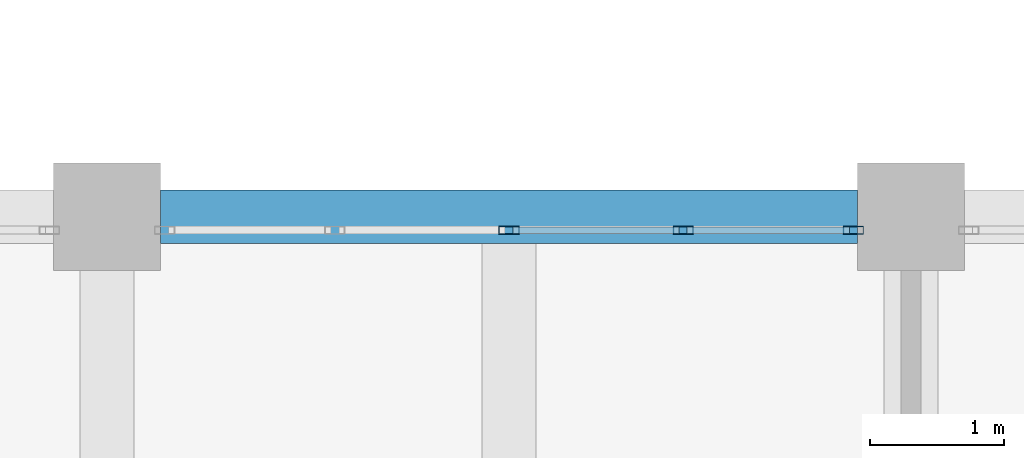
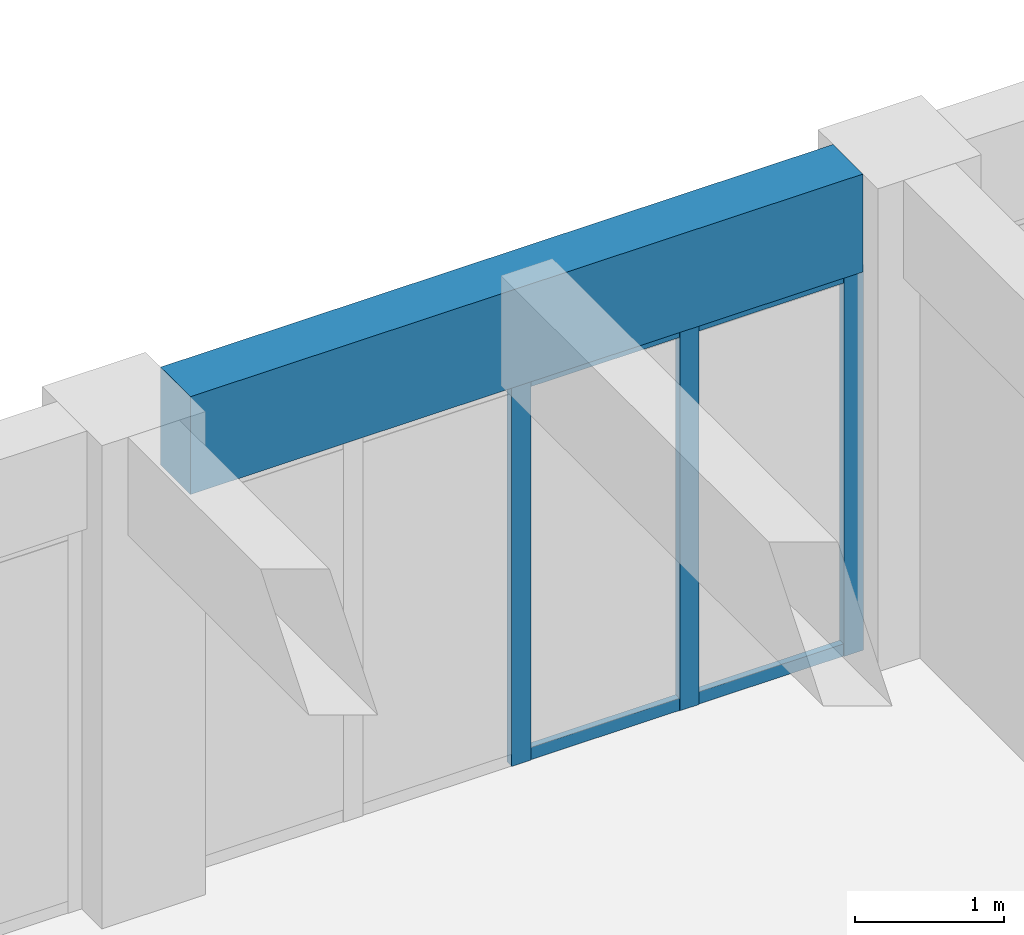
# One storey, part 15 of 92: 7 members, 1 beam, 1 element without a shape of its own.
"""IFC4 building model written with IfcOpenShell, lengths in metres."""

from ifc_helpers import new_model, si_unit, direction, frame, origin, origin_2d, place, context, subcontext, project, spatial, rectangle, hollow_rectangle, extrude, material, material_profile, profile_set, type_object, element, aggregate, save


model = new_model("IFC4")

# Units and contexts
model_context = context("Model", 3, precision=1e-05, world=origin(), true_north=direction((0.0, 1.0)))
body_context = subcontext(model_context, "Body", "Model", "MODEL_VIEW")
ifc_project = project(units=[si_unit("LENGTHUNIT", "METRE"), si_unit("AREAUNIT", "SQUARE_METRE"), si_unit("VOLUMEUNIT", "CUBIC_METRE"), si_unit("PLANEANGLEUNIT", "RADIAN"), si_unit("MASSUNIT", "GRAM", prefix="KILO")], contexts=[model_context])

# Site, building, storey
site_placement = place(None, origin())
site = spatial("IfcSite", under=ifc_project, at=site_placement, CompositionType="ELEMENT")
building_placement = place(site_placement, origin())
building = spatial("IfcBuilding", under=site, at=building_placement, Name="Laocheng Heights Fire and Rescue Headquarters", CompositionType="ELEMENT")
storey_placement = place(building_placement, frame((0.0, 0.0, 12.60009765625)))
storey = spatial("IfcBuildingStorey", under=building, at=storey_placement, Name="L03", CompositionType="ELEMENT", Elevation=12.60009765625)

# Curtain wall, members
ifc_material_1 = material(Name="Aluminium unitised curtain wall, low-e double glazing", Category="aluminium")
curtain_wall_type = type_object("IfcCurtainWallType", Name="CW 5200 x 3150 GALLERY UNIT", PredefinedType="NOTDEFINED", material=ifc_material_1)
curtain_wall_placement = place(storey_placement, origin())
curtain_wall = element("IfcCurtainWall", 1, at=curtain_wall_placement, inside=storey, type_object=curtain_wall_type, Name="Gallery north glazing L03", PredefinedType="NOTDEFINED")
ifc_material_2 = material(Name="Aluminium 6063-T5 extrusion", Category="aluminium")
ifc_material_profile_1 = material_profile(ifc_material_2, hollow_rectangle(XDim=0.06005859375, YDim=0.14990234375, WallThickness=0.0029296875, at=origin_2d()), Name="AL MULLION 150x60x3")
ifc_profile_set_1 = profile_set([ifc_material_profile_1], Name="Aluminium 6063-T5 extrusion")
member_type_1 = type_object("IfcMemberType", Name="AL CURTAIN WALL MULLION 150x60x3", PredefinedType="MULLION", material=ifc_profile_set_1)
member_1_placement = place(storey_placement, frame((45.0, 28.699951171875, 0.0), z_axis=(0.0, 0.0, 1.0), x_axis=(0.0, 1.0, 0.0)))
member_1 = element("IfcMember", 2, at=member_1_placement, type_object=member_type_1, Name="X6-E mullion 3", PredefinedType="MULLION", context=body_context, shape_type="SweptSolid", body=[
    extrude(hollow_rectangle(XDim=0.06005859375, YDim=0.14990234375, WallThickness=0.0029296875, at=origin_2d()), origin(), (0.0, 0.0, 1.0), 3.14990234375),
])
member_2_placement = place(storey_placement, frame((46.300048828125, 28.699951171875, 0.0), z_axis=(0.0, 0.0, 1.0), x_axis=(0.0, 1.0, 0.0)))
member_2 = element("IfcMember", 3, at=member_2_placement, type_object=member_type_1, Name="X6-E mullion 4", PredefinedType="MULLION", context=body_context, shape_type="SweptSolid", body=[
    extrude(hollow_rectangle(XDim=0.06005859375, YDim=0.14990234375, WallThickness=0.0029296875, at=origin_2d()), origin(), (0.0, 0.0, 1.0), 3.14990234375),
])
member_3_placement = place(storey_placement, frame((47.570068359375, 28.699951171875, 0.0), z_axis=(0.0, 0.0, 1.0), x_axis=(0.0, 1.0, 0.0)))
member_3 = element("IfcMember", 4, at=member_3_placement, type_object=member_type_1, Name="X6-E mullion 5", PredefinedType="MULLION", context=body_context, shape_type="SweptSolid", body=[
    extrude(hollow_rectangle(XDim=0.06005859375, YDim=0.14990234375, WallThickness=0.0029296875, at=origin_2d()), origin(), (0.0, 0.0, 1.0), 3.14990234375),
])
ifc_material_3 = material(Name="Aluminium 6063-T5 extrusion", Category="aluminium")
ifc_material_profile_2 = material_profile(ifc_material_3, hollow_rectangle(XDim=0.050048828125, YDim=0.10009765625, WallThickness=0.0029296875, at=origin_2d()), Name="AL TRANSOM 100x50x3")
ifc_profile_set_2 = profile_set([ifc_material_profile_2], Name="Aluminium 6063-T5 extrusion")
member_type_2 = type_object("IfcMemberType", Name="AL CURTAIN WALL TRANSOM 100x50x3", PredefinedType="USERDEFINED", material=ifc_profile_set_2)
member_4_placement = place(storey_placement, frame((45.030029296875, 28.699951171875, 0.0498046875), z_axis=(1.0, 0.0, 0.0), x_axis=(0.0, 1.0, 0.0)))
member_4 = element("IfcMember", 5, at=member_4_placement, type_object=member_type_2, Name="X6-E transom 3.1", ObjectType="TRANSOM", PredefinedType="USERDEFINED", context=body_context, shape_type="SweptSolid", body=[
    extrude(hollow_rectangle(XDim=0.050048828125, YDim=0.10009765625, WallThickness=0.0029296875, at=origin_2d()), origin(), (0.0, 0.0, 1.0), 1.239990234375),
])
member_5_placement = place(storey_placement, frame((45.030029296875, 28.699951171875, 3.099853515625), z_axis=(1.0, 0.0, 0.0), x_axis=(0.0, 1.0, 0.0)))
member_5 = element("IfcMember", 6, at=member_5_placement, type_object=member_type_2, Name="X6-E transom 3.2", ObjectType="TRANSOM", PredefinedType="USERDEFINED", context=body_context, shape_type="SweptSolid", body=[
    extrude(hollow_rectangle(XDim=0.050048828125, YDim=0.10009765625, WallThickness=0.0029296875, at=origin_2d()), origin(), (0.0, 0.0, 1.0), 1.239990234375),
])
member_6_placement = place(storey_placement, frame((46.330078125, 28.699951171875, 0.0498046875), z_axis=(1.0, 0.0, 0.0), x_axis=(0.0, 1.0, 0.0)))
member_6 = element("IfcMember", 7, at=member_6_placement, type_object=member_type_2, Name="X6-E transom 4.1", ObjectType="TRANSOM", PredefinedType="USERDEFINED", context=body_context, shape_type="SweptSolid", body=[
    extrude(hollow_rectangle(XDim=0.050048828125, YDim=0.10009765625, WallThickness=0.0029296875, at=origin_2d()), origin(), (0.0, 0.0, 1.0), 1.2099609375),
])
member_7_placement = place(storey_placement, frame((46.330078125, 28.699951171875, 3.099853515625), z_axis=(1.0, 0.0, 0.0), x_axis=(0.0, 1.0, 0.0)))
member_7 = element("IfcMember", 8, at=member_7_placement, type_object=member_type_2, Name="X6-E transom 4.2", ObjectType="TRANSOM", PredefinedType="USERDEFINED", context=body_context, shape_type="SweptSolid", body=[
    extrude(hollow_rectangle(XDim=0.050048828125, YDim=0.10009765625, WallThickness=0.0029296875, at=origin_2d()), origin(), (0.0, 0.0, 1.0), 1.2099609375),
])
aggregate(curtain_wall, [member_1, member_2, member_3, member_4, member_5, member_6, member_7])

# Beam
ifc_material_4 = material(Name="Concrete C40", Category="concrete")
ifc_material_profile_3 = material_profile(ifc_material_4, rectangle(XDim=0.39990234375, YDim=0.800048828125, at=origin_2d()), Name="RC BEAM 400x800 GALLERY FLOOR")
ifc_profile_set_3 = profile_set([ifc_material_profile_3], Name="Concrete C40")
beam_type = type_object("IfcBeamType", Name="RC BEAM 400x800 GALLERY FLOOR", PredefinedType="BEAM", material=ifc_profile_set_3)
beam_placement = place(storey_placement, frame((42.39990234375, 28.800048828125, 3.5498046875), z_axis=(1.0, 0.0, 0.0), x_axis=(0.0, 1.0, 0.0)))
element("IfcBeam", 9, at=beam_placement, inside=storey, type_object=beam_type, Name="Gallery roof beam", PredefinedType="BEAM", context=body_context, shape_type="SweptSolid", body=[
    extrude(rectangle(XDim=0.39990234375, YDim=0.800048828125, at=origin_2d()), origin(), (0.0, 0.0, 1.0), 5.2001953125),
])

save(model, "model.ifc")
